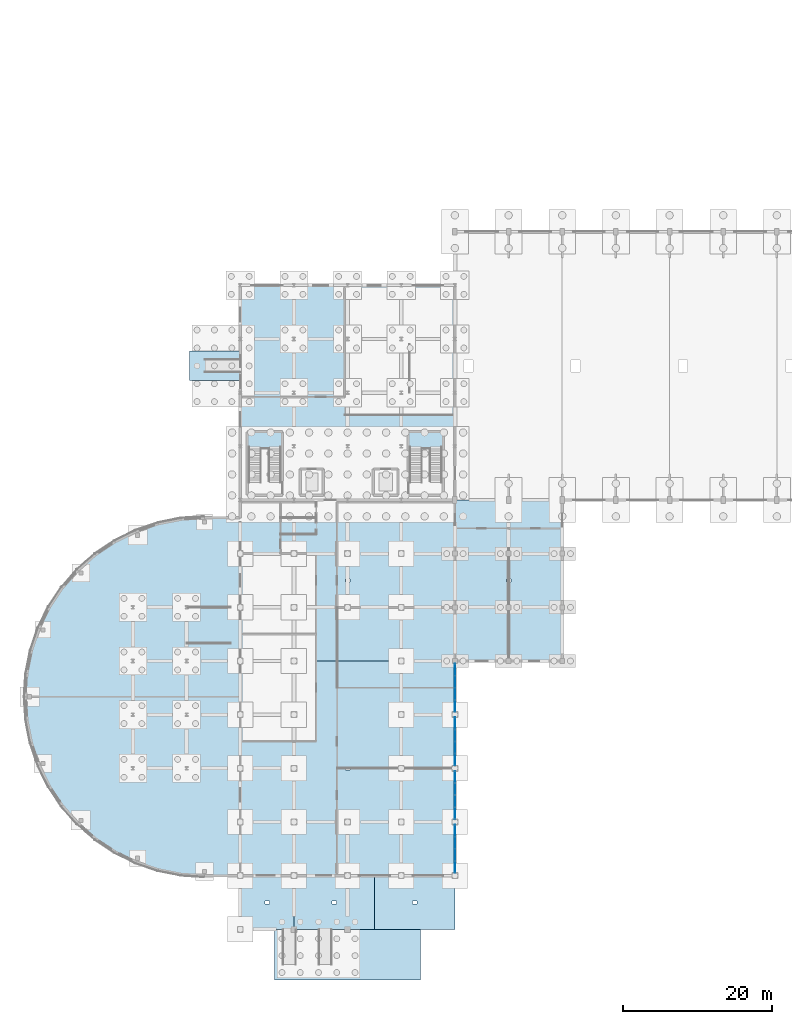
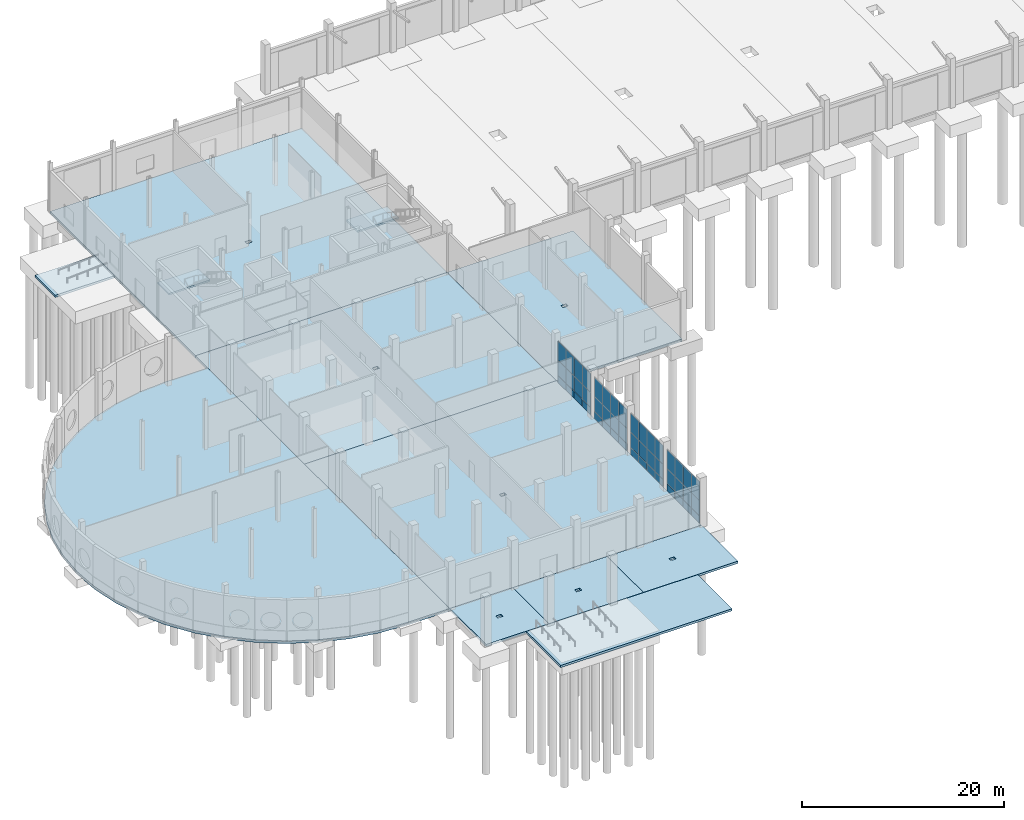
# One storey, part 23 of 45: 48 plates, 12 slabs, 6 elements without a shape of their own.
"""IFC4 building model written with IfcOpenShell, lengths in metres."""

from ifc_helpers import new_model, si_unit, direction, frame, origin, origin_2d, place, context, subcontext, project, spatial, polyline, rectangle, outline, extrude, material, layer, layer_set, type_object, element, aggregate, save


model = new_model("IFC4")

# Units and contexts
model_context = context("Model", 3, precision=1e-05, world=origin(), true_north=direction((0.0, 1.0)))
body_context = subcontext(model_context, "Body", "Model", "MODEL_VIEW")
ifc_project = project(units=[si_unit("LENGTHUNIT", "METRE"), si_unit("AREAUNIT", "SQUARE_METRE"), si_unit("VOLUMEUNIT", "CUBIC_METRE"), si_unit("PLANEANGLEUNIT", "RADIAN"), si_unit("MASSUNIT", "GRAM", prefix="KILO")], contexts=[model_context])

# Site, building, storey
site_placement = place(None, origin())
site = spatial("IfcSite", under=ifc_project, at=site_placement, CompositionType="ELEMENT")
building_placement = place(site_placement, origin())
building = spatial("IfcBuilding", under=site, at=building_placement, Name="Yarey Park Central Fire Station", CompositionType="ELEMENT")
storey_placement = place(building_placement, origin())
storey = spatial("IfcBuildingStorey", under=building, at=storey_placement, Name="L01", CompositionType="ELEMENT", Elevation=0.0)

# Curtain wall, plates
ifc_material_1 = material(Name="Anodized Aluminium Frame", Category="aluminium")
curtain_wall_type = type_object("IfcCurtainWallType", Name="ENV_CW_HQ_L01", PredefinedType="NOTDEFINED", material=ifc_material_1)
curtain_wall_1_placement = place(storey_placement, origin())
curtain_wall_1 = element("IfcCurtainWall", 1, at=curtain_wall_1_placement, inside=storey, type_object=curtain_wall_type, Name="CW_L01_V1_E_2", PredefinedType="NOTDEFINED")
ifc_material_2 = material(Name="Insulated Aluminium Spandrel Panel", Category="aluminium")
ifc_layer_1 = layer(ifc_material_2, 0.055908203125)
ifc_layer_set_1 = layer_set([ifc_layer_1], Name="Insulated Aluminium Spandrel Panel")
plate_type_1 = type_object("IfcPlateType", Name="ENV_PNL_SPN_01", PredefinedType="CURTAIN_PANEL", material=ifc_layer_set_1)
plate_1_placement = place(storey_placement, frame((57.60009765625, 15.570068359375, 0.04248046875), z_axis=(0.0, 0.0, 1.0), x_axis=(0.0, 1.0, 0.0)))
plate_1 = element("IfcPlate", 2, at=plate_1_placement, type_object=plate_type_1, Name="CW_L01_V1_E_2_PNL01", PredefinedType="CURTAIN_PANEL", context=body_context, shape_type="SweptSolid", body=[
    extrude(rectangle(XDim=1.580078125, YDim=0.055908203125, at=origin_2d()), origin(), (0.0, 0.0, 1.0), 0.840087890625),
])
plate_2_placement = place(storey_placement, frame((57.60009765625, 17.18994140625, 0.04248046875), z_axis=(0.0, 0.0, 1.0), x_axis=(0.0, 1.0, 0.0)))
plate_2 = element("IfcPlate", 3, at=plate_2_placement, type_object=plate_type_1, Name="CW_L01_V1_E_2_PNL04", PredefinedType="CURTAIN_PANEL", context=body_context, shape_type="SweptSolid", body=[
    extrude(rectangle(XDim=1.580078125, YDim=0.055908203125, at=origin_2d()), origin(), (0.0, 0.0, 1.0), 0.840087890625),
])
plate_3_placement = place(storey_placement, frame((57.60009765625, 18.81005859375, 0.04248046875), z_axis=(0.0, 0.0, 1.0), x_axis=(0.0, 1.0, 0.0)))
plate_3 = element("IfcPlate", 4, at=plate_3_placement, type_object=plate_type_1, Name="CW_L01_V1_E_2_PNL07", PredefinedType="CURTAIN_PANEL", context=body_context, shape_type="SweptSolid", body=[
    extrude(rectangle(XDim=1.580078125, YDim=0.055908203125, at=origin_2d()), origin(), (0.0, 0.0, 1.0), 0.840087890625),
])
plate_4_placement = place(storey_placement, frame((57.60009765625, 20.429931640625, 0.04248046875), z_axis=(0.0, 0.0, 1.0), x_axis=(0.0, 1.0, 0.0)))
plate_4 = element("IfcPlate", 5, at=plate_4_placement, type_object=plate_type_1, Name="CW_L01_V1_E_2_PNL10", PredefinedType="CURTAIN_PANEL", context=body_context, shape_type="SweptSolid", body=[
    extrude(rectangle(XDim=1.580078125, YDim=0.055908203125, at=origin_2d()), origin(), (0.0, 0.0, 1.0), 0.840087890625),
])

curtain_wall_2_placement = place(storey_placement, origin())
curtain_wall_2 = element("IfcCurtainWall", 6, at=curtain_wall_2_placement, inside=storey, type_object=curtain_wall_type, Name="CW_L01_V1_E_3", PredefinedType="NOTDEFINED")
ifc_layer_2 = layer(ifc_material_2, 0.068115234375)
ifc_layer_set_2 = layer_set([ifc_layer_2], Name="Insulated Aluminium Spandrel Panel")
plate_type_2 = type_object("IfcPlateType", Name="ENV_PNL_SPN_02", PredefinedType="CURTAIN_PANEL", material=ifc_layer_set_2)
plate_5_placement = place(storey_placement, frame((57.60009765625, 22.77001953125, 0.04248046875), z_axis=(0.0, 0.0, 1.0), x_axis=(0.0, 1.0, 0.0)))
plate_5 = element("IfcPlate", 7, at=plate_5_placement, type_object=plate_type_2, Name="CW_L01_V1_E_3_PNL01", PredefinedType="CURTAIN_PANEL", context=body_context, shape_type="SweptSolid", body=[
    extrude(rectangle(XDim=1.580078125, YDim=0.068115234375, at=origin_2d()), origin(), (0.0, 0.0, 1.0), 0.840087890625),
])
plate_6_placement = place(storey_placement, frame((57.60009765625, 24.389892578125, 0.04248046875), z_axis=(0.0, 0.0, 1.0), x_axis=(0.0, 1.0, 0.0)))
plate_6 = element("IfcPlate", 8, at=plate_6_placement, type_object=plate_type_2, Name="CW_L01_V1_E_3_PNL04", PredefinedType="CURTAIN_PANEL", context=body_context, shape_type="SweptSolid", body=[
    extrude(rectangle(XDim=1.580078125, YDim=0.068115234375, at=origin_2d()), origin(), (0.0, 0.0, 1.0), 0.840087890625),
])
plate_7_placement = place(storey_placement, frame((57.60009765625, 26.010009765625, 0.04248046875), z_axis=(0.0, 0.0, 1.0), x_axis=(0.0, 1.0, 0.0)))
plate_7 = element("IfcPlate", 9, at=plate_7_placement, type_object=plate_type_2, Name="CW_L01_V1_E_3_PNL07", PredefinedType="CURTAIN_PANEL", context=body_context, shape_type="SweptSolid", body=[
    extrude(rectangle(XDim=1.580078125, YDim=0.068115234375, at=origin_2d()), origin(), (0.0, 0.0, 1.0), 0.840087890625),
])
plate_8_placement = place(storey_placement, frame((57.60009765625, 27.6298828125, 0.04248046875), z_axis=(0.0, 0.0, 1.0), x_axis=(0.0, 1.0, 0.0)))
plate_8 = element("IfcPlate", 10, at=plate_8_placement, type_object=plate_type_2, Name="CW_L01_V1_E_3_PNL10", PredefinedType="CURTAIN_PANEL", context=body_context, shape_type="SweptSolid", body=[
    extrude(rectangle(XDim=1.580078125, YDim=0.068115234375, at=origin_2d()), origin(), (0.0, 0.0, 1.0), 0.840087890625),
])

curtain_wall_3_placement = place(storey_placement, origin())
curtain_wall_3 = element("IfcCurtainWall", 11, at=curtain_wall_3_placement, inside=storey, type_object=curtain_wall_type, Name="CW_L01_V1_E_4", PredefinedType="NOTDEFINED")
ifc_layer_3 = layer(ifc_material_2, 0.077880859375)
ifc_layer_set_3 = layer_set([ifc_layer_3], Name="Insulated Aluminium Spandrel Panel")
plate_type_3 = type_object("IfcPlateType", Name="ENV_PNL_SPN_03", PredefinedType="CURTAIN_PANEL", material=ifc_layer_set_3)
plate_9_placement = place(storey_placement, frame((57.60009765625, 29.969970703125, 0.04248046875), z_axis=(0.0, 0.0, 1.0), x_axis=(0.0, 1.0, 0.0)))
plate_9 = element("IfcPlate", 12, at=plate_9_placement, type_object=plate_type_3, Name="CW_L01_V1_E_4_PNL01", PredefinedType="CURTAIN_PANEL", context=body_context, shape_type="SweptSolid", body=[
    extrude(rectangle(XDim=1.580078125, YDim=0.077880859375, at=origin_2d()), origin(), (0.0, 0.0, 1.0), 0.840087890625),
])
plate_10_placement = place(storey_placement, frame((57.60009765625, 31.590087890625, 0.04248046875), z_axis=(0.0, 0.0, 1.0), x_axis=(0.0, 1.0, 0.0)))
plate_10 = element("IfcPlate", 13, at=plate_10_placement, type_object=plate_type_3, Name="CW_L01_V1_E_4_PNL04", PredefinedType="CURTAIN_PANEL", context=body_context, shape_type="SweptSolid", body=[
    extrude(rectangle(XDim=1.580078125, YDim=0.077880859375, at=origin_2d()), origin(), (0.0, 0.0, 1.0), 0.840087890625),
])
plate_11_placement = place(storey_placement, frame((57.60009765625, 33.2099609375, 0.04248046875), z_axis=(0.0, 0.0, 1.0), x_axis=(0.0, 1.0, 0.0)))
plate_11 = element("IfcPlate", 14, at=plate_11_placement, type_object=plate_type_3, Name="CW_L01_V1_E_4_PNL07", PredefinedType="CURTAIN_PANEL", context=body_context, shape_type="SweptSolid", body=[
    extrude(rectangle(XDim=1.580078125, YDim=0.077880859375, at=origin_2d()), origin(), (0.0, 0.0, 1.0), 0.840087890625),
])
plate_12_placement = place(storey_placement, frame((57.60009765625, 34.830078125, 0.04248046875), z_axis=(0.0, 0.0, 1.0), x_axis=(0.0, 1.0, 0.0)))
plate_12 = element("IfcPlate", 15, at=plate_12_placement, type_object=plate_type_3, Name="CW_L01_V1_E_4_PNL10", PredefinedType="CURTAIN_PANEL", context=body_context, shape_type="SweptSolid", body=[
    extrude(rectangle(XDim=1.580078125, YDim=0.077880859375, at=origin_2d()), origin(), (0.0, 0.0, 1.0), 0.840087890625),
])

curtain_wall_4_placement = place(storey_placement, origin())
curtain_wall_4 = element("IfcCurtainWall", 16, at=curtain_wall_4_placement, inside=storey, type_object=curtain_wall_type, Name="CW_L01_V1_E_1", PredefinedType="NOTDEFINED")
ifc_layer_4 = layer(ifc_material_2, 0.087890625)
ifc_layer_set_4 = layer_set([ifc_layer_4], Name="Insulated Aluminium Spandrel Panel")
plate_type_4 = type_object("IfcPlateType", Name="ENV_PNL_SPN_04", PredefinedType="CURTAIN_PANEL", material=ifc_layer_set_4)
plate_13_placement = place(storey_placement, frame((57.60009765625, 8.3701171875, 0.04248046875), z_axis=(0.0, 0.0, 1.0), x_axis=(0.0, 1.0, 0.0)))
plate_13 = element("IfcPlate", 17, at=plate_13_placement, type_object=plate_type_4, Name="CW_L01_V1_E_1_PNL01", PredefinedType="CURTAIN_PANEL", context=body_context, shape_type="SweptSolid", body=[
    extrude(rectangle(XDim=1.580078125, YDim=0.087890625, at=origin_2d()), origin(), (0.0, 0.0, 1.0), 0.840087890625),
])
plate_14_placement = place(storey_placement, frame((57.60009765625, 9.989990234375, 0.04248046875), z_axis=(0.0, 0.0, 1.0), x_axis=(0.0, 1.0, 0.0)))
plate_14 = element("IfcPlate", 18, at=plate_14_placement, type_object=plate_type_4, Name="CW_L01_V1_E_1_PNL04", PredefinedType="CURTAIN_PANEL", context=body_context, shape_type="SweptSolid", body=[
    extrude(rectangle(XDim=1.580078125, YDim=0.087890625, at=origin_2d()), origin(), (0.0, 0.0, 1.0), 0.840087890625),
])
plate_15_placement = place(storey_placement, frame((57.60009765625, 11.610107421875, 0.04248046875), z_axis=(0.0, 0.0, 1.0), x_axis=(0.0, 1.0, 0.0)))
plate_15 = element("IfcPlate", 19, at=plate_15_placement, type_object=plate_type_4, Name="CW_L01_V1_E_1_PNL07", PredefinedType="CURTAIN_PANEL", context=body_context, shape_type="SweptSolid", body=[
    extrude(rectangle(XDim=1.580078125, YDim=0.087890625, at=origin_2d()), origin(), (0.0, 0.0, 1.0), 0.840087890625),
])
plate_16_placement = place(storey_placement, frame((57.60009765625, 13.22998046875, 0.04248046875), z_axis=(0.0, 0.0, 1.0), x_axis=(0.0, 1.0, 0.0)))
plate_16 = element("IfcPlate", 20, at=plate_16_placement, type_object=plate_type_4, Name="CW_L01_V1_E_1_PNL10", PredefinedType="CURTAIN_PANEL", context=body_context, shape_type="SweptSolid", body=[
    extrude(rectangle(XDim=1.580078125, YDim=0.087890625, at=origin_2d()), origin(), (0.0, 0.0, 1.0), 0.840087890625),
])

# Plate
ifc_material_3 = material(Name="Laminated Hurricane Low-E Glass", Category="glass")
ifc_layer_5 = layer(ifc_material_3, 0.02392578125)
ifc_layer_set_5 = layer_set([ifc_layer_5], Name="Laminated Hurricane Low-E Glass")
plate_type_5 = type_object("IfcPlateType", Name="ENV_PNL_VIS_01", PredefinedType="CURTAIN_PANEL", material=ifc_layer_set_5)
plate_17_placement = place(storey_placement, frame((57.60009765625, 15.570068359375, 0.91748046875), z_axis=(0.0, 0.0, 1.0), x_axis=(0.0, 1.0, 0.0)))
plate_17 = element("IfcPlate", 21, at=plate_17_placement, type_object=plate_type_5, Name="CW_L01_V1_E_2_PNL02", PredefinedType="CURTAIN_PANEL", context=body_context, shape_type="SweptSolid", body=[
    extrude(rectangle(XDim=1.580078125, YDim=0.02392578125, at=origin_2d()), origin(), (0.0, 0.0, 1.0), 1.7919921875),
])

plate_18_placement = place(storey_placement, frame((57.60009765625, 15.570068359375, 2.74462890625), z_axis=(0.0, 0.0, 1.0), x_axis=(0.0, 1.0, 0.0)))
plate_18 = element("IfcPlate", 22, at=plate_18_placement, type_object=plate_type_5, Name="CW_L01_V1_E_2_PNL03", PredefinedType="CURTAIN_PANEL", context=body_context, shape_type="SweptSolid", body=[
    extrude(rectangle(XDim=1.580078125, YDim=0.02392578125, at=origin_2d()), origin(), (0.0, 0.0, 1.0), 2.262939453125),
])

plate_19_placement = place(storey_placement, frame((57.60009765625, 17.18994140625, 0.91748046875), z_axis=(0.0, 0.0, 1.0), x_axis=(0.0, 1.0, 0.0)))
plate_19 = element("IfcPlate", 23, at=plate_19_placement, type_object=plate_type_5, Name="CW_L01_V1_E_2_PNL05", PredefinedType="CURTAIN_PANEL", context=body_context, shape_type="SweptSolid", body=[
    extrude(rectangle(XDim=1.580078125, YDim=0.02392578125, at=origin_2d()), origin(), (0.0, 0.0, 1.0), 1.7919921875),
])

plate_20_placement = place(storey_placement, frame((57.60009765625, 17.18994140625, 2.74462890625), z_axis=(0.0, 0.0, 1.0), x_axis=(0.0, 1.0, 0.0)))
plate_20 = element("IfcPlate", 24, at=plate_20_placement, type_object=plate_type_5, Name="CW_L01_V1_E_2_PNL06", PredefinedType="CURTAIN_PANEL", context=body_context, shape_type="SweptSolid", body=[
    extrude(rectangle(XDim=1.580078125, YDim=0.02392578125, at=origin_2d()), origin(), (0.0, 0.0, 1.0), 2.262939453125),
])

plate_21_placement = place(storey_placement, frame((57.60009765625, 18.81005859375, 0.91748046875), z_axis=(0.0, 0.0, 1.0), x_axis=(0.0, 1.0, 0.0)))
plate_21 = element("IfcPlate", 25, at=plate_21_placement, type_object=plate_type_5, Name="CW_L01_V1_E_2_PNL08", PredefinedType="CURTAIN_PANEL", context=body_context, shape_type="SweptSolid", body=[
    extrude(rectangle(XDim=1.580078125, YDim=0.02392578125, at=origin_2d()), origin(), (0.0, 0.0, 1.0), 1.7919921875),
])

plate_22_placement = place(storey_placement, frame((57.60009765625, 18.81005859375, 2.74462890625), z_axis=(0.0, 0.0, 1.0), x_axis=(0.0, 1.0, 0.0)))
plate_22 = element("IfcPlate", 26, at=plate_22_placement, type_object=plate_type_5, Name="CW_L01_V1_E_2_PNL09", PredefinedType="CURTAIN_PANEL", context=body_context, shape_type="SweptSolid", body=[
    extrude(rectangle(XDim=1.580078125, YDim=0.02392578125, at=origin_2d()), origin(), (0.0, 0.0, 1.0), 2.262939453125),
])

plate_23_placement = place(storey_placement, frame((57.60009765625, 20.429931640625, 0.91748046875), z_axis=(0.0, 0.0, 1.0), x_axis=(0.0, 1.0, 0.0)))
plate_23 = element("IfcPlate", 27, at=plate_23_placement, type_object=plate_type_5, Name="CW_L01_V1_E_2_PNL11", PredefinedType="CURTAIN_PANEL", context=body_context, shape_type="SweptSolid", body=[
    extrude(rectangle(XDim=1.580078125, YDim=0.02392578125, at=origin_2d()), origin(), (0.0, 0.0, 1.0), 1.7919921875),
])

plate_24_placement = place(storey_placement, frame((57.60009765625, 20.429931640625, 2.74462890625), z_axis=(0.0, 0.0, 1.0), x_axis=(0.0, 1.0, 0.0)))
plate_24 = element("IfcPlate", 28, at=plate_24_placement, type_object=plate_type_5, Name="CW_L01_V1_E_2_PNL12", PredefinedType="CURTAIN_PANEL", context=body_context, shape_type="SweptSolid", body=[
    extrude(rectangle(XDim=1.580078125, YDim=0.02392578125, at=origin_2d()), origin(), (0.0, 0.0, 1.0), 2.262939453125),
])

aggregate(curtain_wall_1, [plate_1, plate_17, plate_18, plate_2, plate_19, plate_20, plate_3, plate_21, plate_22, plate_4, plate_23, plate_24])

ifc_layer_6 = layer(ifc_material_3, 0.031982421875)
ifc_layer_set_6 = layer_set([ifc_layer_6], Name="Laminated Hurricane Low-E Glass")
plate_type_6 = type_object("IfcPlateType", Name="ENV_PNL_VIS_02", PredefinedType="CURTAIN_PANEL", material=ifc_layer_set_6)
plate_25_placement = place(storey_placement, frame((57.60009765625, 22.77001953125, 0.91748046875), z_axis=(0.0, 0.0, 1.0), x_axis=(0.0, 1.0, 0.0)))
plate_25 = element("IfcPlate", 29, at=plate_25_placement, type_object=plate_type_6, Name="CW_L01_V1_E_3_PNL02", PredefinedType="CURTAIN_PANEL", context=body_context, shape_type="SweptSolid", body=[
    extrude(rectangle(XDim=1.580078125, YDim=0.031982421875, at=origin_2d()), origin(), (0.0, 0.0, 1.0), 1.7919921875),
])

plate_26_placement = place(storey_placement, frame((57.60009765625, 22.77001953125, 2.74462890625), z_axis=(0.0, 0.0, 1.0), x_axis=(0.0, 1.0, 0.0)))
plate_26 = element("IfcPlate", 30, at=plate_26_placement, type_object=plate_type_6, Name="CW_L01_V1_E_3_PNL03", PredefinedType="CURTAIN_PANEL", context=body_context, shape_type="SweptSolid", body=[
    extrude(rectangle(XDim=1.580078125, YDim=0.031982421875, at=origin_2d()), origin(), (0.0, 0.0, 1.0), 2.262939453125),
])

plate_27_placement = place(storey_placement, frame((57.60009765625, 24.389892578125, 0.91748046875), z_axis=(0.0, 0.0, 1.0), x_axis=(0.0, 1.0, 0.0)))
plate_27 = element("IfcPlate", 31, at=plate_27_placement, type_object=plate_type_6, Name="CW_L01_V1_E_3_PNL05", PredefinedType="CURTAIN_PANEL", context=body_context, shape_type="SweptSolid", body=[
    extrude(rectangle(XDim=1.580078125, YDim=0.031982421875, at=origin_2d()), origin(), (0.0, 0.0, 1.0), 1.7919921875),
])

plate_28_placement = place(storey_placement, frame((57.60009765625, 24.389892578125, 2.74462890625), z_axis=(0.0, 0.0, 1.0), x_axis=(0.0, 1.0, 0.0)))
plate_28 = element("IfcPlate", 32, at=plate_28_placement, type_object=plate_type_6, Name="CW_L01_V1_E_3_PNL06", PredefinedType="CURTAIN_PANEL", context=body_context, shape_type="SweptSolid", body=[
    extrude(rectangle(XDim=1.580078125, YDim=0.031982421875, at=origin_2d()), origin(), (0.0, 0.0, 1.0), 2.262939453125),
])

plate_29_placement = place(storey_placement, frame((57.60009765625, 26.010009765625, 0.91748046875), z_axis=(0.0, 0.0, 1.0), x_axis=(0.0, 1.0, 0.0)))
plate_29 = element("IfcPlate", 33, at=plate_29_placement, type_object=plate_type_6, Name="CW_L01_V1_E_3_PNL08", PredefinedType="CURTAIN_PANEL", context=body_context, shape_type="SweptSolid", body=[
    extrude(rectangle(XDim=1.580078125, YDim=0.031982421875, at=origin_2d()), origin(), (0.0, 0.0, 1.0), 1.7919921875),
])

plate_30_placement = place(storey_placement, frame((57.60009765625, 26.010009765625, 2.74462890625), z_axis=(0.0, 0.0, 1.0), x_axis=(0.0, 1.0, 0.0)))
plate_30 = element("IfcPlate", 34, at=plate_30_placement, type_object=plate_type_6, Name="CW_L01_V1_E_3_PNL09", PredefinedType="CURTAIN_PANEL", context=body_context, shape_type="SweptSolid", body=[
    extrude(rectangle(XDim=1.580078125, YDim=0.031982421875, at=origin_2d()), origin(), (0.0, 0.0, 1.0), 2.262939453125),
])

plate_31_placement = place(storey_placement, frame((57.60009765625, 27.6298828125, 0.91748046875), z_axis=(0.0, 0.0, 1.0), x_axis=(0.0, 1.0, 0.0)))
plate_31 = element("IfcPlate", 35, at=plate_31_placement, type_object=plate_type_6, Name="CW_L01_V1_E_3_PNL11", PredefinedType="CURTAIN_PANEL", context=body_context, shape_type="SweptSolid", body=[
    extrude(rectangle(XDim=1.580078125, YDim=0.031982421875, at=origin_2d()), origin(), (0.0, 0.0, 1.0), 1.7919921875),
])

plate_32_placement = place(storey_placement, frame((57.60009765625, 27.6298828125, 2.74462890625), z_axis=(0.0, 0.0, 1.0), x_axis=(0.0, 1.0, 0.0)))
plate_32 = element("IfcPlate", 36, at=plate_32_placement, type_object=plate_type_6, Name="CW_L01_V1_E_3_PNL12", PredefinedType="CURTAIN_PANEL", context=body_context, shape_type="SweptSolid", body=[
    extrude(rectangle(XDim=1.580078125, YDim=0.031982421875, at=origin_2d()), origin(), (0.0, 0.0, 1.0), 2.262939453125),
])

aggregate(curtain_wall_2, [plate_5, plate_25, plate_26, plate_6, plate_27, plate_28, plate_7, plate_29, plate_30, plate_8, plate_31, plate_32])

ifc_layer_7 = layer(ifc_material_3, 0.0380859375)
ifc_layer_set_7 = layer_set([ifc_layer_7], Name="Laminated Hurricane Low-E Glass")
plate_type_7 = type_object("IfcPlateType", Name="ENV_PNL_VIS_03", PredefinedType="CURTAIN_PANEL", material=ifc_layer_set_7)
plate_33_placement = place(storey_placement, frame((57.60009765625, 29.969970703125, 0.91748046875), z_axis=(0.0, 0.0, 1.0), x_axis=(0.0, 1.0, 0.0)))
plate_33 = element("IfcPlate", 37, at=plate_33_placement, type_object=plate_type_7, Name="CW_L01_V1_E_4_PNL02", PredefinedType="CURTAIN_PANEL", context=body_context, shape_type="SweptSolid", body=[
    extrude(rectangle(XDim=1.580078125, YDim=0.0380859375, at=origin_2d()), origin(), (0.0, 0.0, 1.0), 1.7919921875),
])

plate_34_placement = place(storey_placement, frame((57.60009765625, 29.969970703125, 2.74462890625), z_axis=(0.0, 0.0, 1.0), x_axis=(0.0, 1.0, 0.0)))
plate_34 = element("IfcPlate", 38, at=plate_34_placement, type_object=plate_type_7, Name="CW_L01_V1_E_4_PNL03", PredefinedType="CURTAIN_PANEL", context=body_context, shape_type="SweptSolid", body=[
    extrude(rectangle(XDim=1.580078125, YDim=0.0380859375, at=origin_2d()), origin(), (0.0, 0.0, 1.0), 2.262939453125),
])

plate_35_placement = place(storey_placement, frame((57.60009765625, 31.590087890625, 0.91748046875), z_axis=(0.0, 0.0, 1.0), x_axis=(0.0, 1.0, 0.0)))
plate_35 = element("IfcPlate", 39, at=plate_35_placement, type_object=plate_type_7, Name="CW_L01_V1_E_4_PNL05", PredefinedType="CURTAIN_PANEL", context=body_context, shape_type="SweptSolid", body=[
    extrude(rectangle(XDim=1.580078125, YDim=0.0380859375, at=origin_2d()), origin(), (0.0, 0.0, 1.0), 1.7919921875),
])

plate_36_placement = place(storey_placement, frame((57.60009765625, 31.590087890625, 2.74462890625), z_axis=(0.0, 0.0, 1.0), x_axis=(0.0, 1.0, 0.0)))
plate_36 = element("IfcPlate", 40, at=plate_36_placement, type_object=plate_type_7, Name="CW_L01_V1_E_4_PNL06", PredefinedType="CURTAIN_PANEL", context=body_context, shape_type="SweptSolid", body=[
    extrude(rectangle(XDim=1.580078125, YDim=0.0380859375, at=origin_2d()), origin(), (0.0, 0.0, 1.0), 2.262939453125),
])

plate_37_placement = place(storey_placement, frame((57.60009765625, 33.2099609375, 0.91748046875), z_axis=(0.0, 0.0, 1.0), x_axis=(0.0, 1.0, 0.0)))
plate_37 = element("IfcPlate", 41, at=plate_37_placement, type_object=plate_type_7, Name="CW_L01_V1_E_4_PNL08", PredefinedType="CURTAIN_PANEL", context=body_context, shape_type="SweptSolid", body=[
    extrude(rectangle(XDim=1.580078125, YDim=0.0380859375, at=origin_2d()), origin(), (0.0, 0.0, 1.0), 1.7919921875),
])

plate_38_placement = place(storey_placement, frame((57.60009765625, 33.2099609375, 2.74462890625), z_axis=(0.0, 0.0, 1.0), x_axis=(0.0, 1.0, 0.0)))
plate_38 = element("IfcPlate", 42, at=plate_38_placement, type_object=plate_type_7, Name="CW_L01_V1_E_4_PNL09", PredefinedType="CURTAIN_PANEL", context=body_context, shape_type="SweptSolid", body=[
    extrude(rectangle(XDim=1.580078125, YDim=0.0380859375, at=origin_2d()), origin(), (0.0, 0.0, 1.0), 2.262939453125),
])

plate_39_placement = place(storey_placement, frame((57.60009765625, 34.830078125, 0.91748046875), z_axis=(0.0, 0.0, 1.0), x_axis=(0.0, 1.0, 0.0)))
plate_39 = element("IfcPlate", 43, at=plate_39_placement, type_object=plate_type_7, Name="CW_L01_V1_E_4_PNL11", PredefinedType="CURTAIN_PANEL", context=body_context, shape_type="SweptSolid", body=[
    extrude(rectangle(XDim=1.580078125, YDim=0.0380859375, at=origin_2d()), origin(), (0.0, 0.0, 1.0), 1.7919921875),
])

plate_40_placement = place(storey_placement, frame((57.60009765625, 34.830078125, 2.74462890625), z_axis=(0.0, 0.0, 1.0), x_axis=(0.0, 1.0, 0.0)))
plate_40 = element("IfcPlate", 44, at=plate_40_placement, type_object=plate_type_7, Name="CW_L01_V1_E_4_PNL12", PredefinedType="CURTAIN_PANEL", context=body_context, shape_type="SweptSolid", body=[
    extrude(rectangle(XDim=1.580078125, YDim=0.0380859375, at=origin_2d()), origin(), (0.0, 0.0, 1.0), 2.262939453125),
])

aggregate(curtain_wall_3, [plate_9, plate_33, plate_34, plate_10, plate_35, plate_36, plate_11, plate_37, plate_38, plate_12, plate_39, plate_40])

ifc_layer_8 = layer(ifc_material_3, 0.0458984375)
ifc_layer_set_8 = layer_set([ifc_layer_8], Name="Laminated Hurricane Low-E Glass")
plate_type_8 = type_object("IfcPlateType", Name="ENV_PNL_VIS_04", PredefinedType="CURTAIN_PANEL", material=ifc_layer_set_8)
plate_41_placement = place(storey_placement, frame((57.60009765625, 8.3701171875, 0.91748046875), z_axis=(0.0, 0.0, 1.0), x_axis=(0.0, 1.0, 0.0)))
plate_41 = element("IfcPlate", 45, at=plate_41_placement, type_object=plate_type_8, Name="CW_L01_V1_E_1_PNL02", PredefinedType="CURTAIN_PANEL", context=body_context, shape_type="SweptSolid", body=[
    extrude(rectangle(XDim=1.580078125, YDim=0.0458984375, at=origin_2d()), origin(), (0.0, 0.0, 1.0), 1.7919921875),
])

plate_42_placement = place(storey_placement, frame((57.60009765625, 8.3701171875, 2.74462890625), z_axis=(0.0, 0.0, 1.0), x_axis=(0.0, 1.0, 0.0)))
plate_42 = element("IfcPlate", 46, at=plate_42_placement, type_object=plate_type_8, Name="CW_L01_V1_E_1_PNL03", PredefinedType="CURTAIN_PANEL", context=body_context, shape_type="SweptSolid", body=[
    extrude(rectangle(XDim=1.580078125, YDim=0.0458984375, at=origin_2d()), origin(), (0.0, 0.0, 1.0), 2.262939453125),
])

plate_43_placement = place(storey_placement, frame((57.60009765625, 9.989990234375, 0.91748046875), z_axis=(0.0, 0.0, 1.0), x_axis=(0.0, 1.0, 0.0)))
plate_43 = element("IfcPlate", 47, at=plate_43_placement, type_object=plate_type_8, Name="CW_L01_V1_E_1_PNL05", PredefinedType="CURTAIN_PANEL", context=body_context, shape_type="SweptSolid", body=[
    extrude(rectangle(XDim=1.580078125, YDim=0.0458984375, at=origin_2d()), origin(), (0.0, 0.0, 1.0), 1.7919921875),
])

plate_44_placement = place(storey_placement, frame((57.60009765625, 9.989990234375, 2.74462890625), z_axis=(0.0, 0.0, 1.0), x_axis=(0.0, 1.0, 0.0)))
plate_44 = element("IfcPlate", 48, at=plate_44_placement, type_object=plate_type_8, Name="CW_L01_V1_E_1_PNL06", PredefinedType="CURTAIN_PANEL", context=body_context, shape_type="SweptSolid", body=[
    extrude(rectangle(XDim=1.580078125, YDim=0.0458984375, at=origin_2d()), origin(), (0.0, 0.0, 1.0), 2.262939453125),
])

plate_45_placement = place(storey_placement, frame((57.60009765625, 11.610107421875, 0.91748046875), z_axis=(0.0, 0.0, 1.0), x_axis=(0.0, 1.0, 0.0)))
plate_45 = element("IfcPlate", 49, at=plate_45_placement, type_object=plate_type_8, Name="CW_L01_V1_E_1_PNL08", PredefinedType="CURTAIN_PANEL", context=body_context, shape_type="SweptSolid", body=[
    extrude(rectangle(XDim=1.580078125, YDim=0.0458984375, at=origin_2d()), origin(), (0.0, 0.0, 1.0), 1.7919921875),
])

plate_46_placement = place(storey_placement, frame((57.60009765625, 11.610107421875, 2.74462890625), z_axis=(0.0, 0.0, 1.0), x_axis=(0.0, 1.0, 0.0)))
plate_46 = element("IfcPlate", 50, at=plate_46_placement, type_object=plate_type_8, Name="CW_L01_V1_E_1_PNL09", PredefinedType="CURTAIN_PANEL", context=body_context, shape_type="SweptSolid", body=[
    extrude(rectangle(XDim=1.580078125, YDim=0.0458984375, at=origin_2d()), origin(), (0.0, 0.0, 1.0), 2.262939453125),
])

plate_47_placement = place(storey_placement, frame((57.60009765625, 13.22998046875, 0.91748046875), z_axis=(0.0, 0.0, 1.0), x_axis=(0.0, 1.0, 0.0)))
plate_47 = element("IfcPlate", 51, at=plate_47_placement, type_object=plate_type_8, Name="CW_L01_V1_E_1_PNL11", PredefinedType="CURTAIN_PANEL", context=body_context, shape_type="SweptSolid", body=[
    extrude(rectangle(XDim=1.580078125, YDim=0.0458984375, at=origin_2d()), origin(), (0.0, 0.0, 1.0), 1.7919921875),
])

plate_48_placement = place(storey_placement, frame((57.60009765625, 13.22998046875, 2.74462890625), z_axis=(0.0, 0.0, 1.0), x_axis=(0.0, 1.0, 0.0)))
plate_48 = element("IfcPlate", 52, at=plate_48_placement, type_object=plate_type_8, Name="CW_L01_V1_E_1_PNL12", PredefinedType="CURTAIN_PANEL", context=body_context, shape_type="SweptSolid", body=[
    extrude(rectangle(XDim=1.580078125, YDim=0.0458984375, at=origin_2d()), origin(), (0.0, 0.0, 1.0), 2.262939453125),
])

aggregate(curtain_wall_4, [plate_13, plate_41, plate_42, plate_14, plate_43, plate_44, plate_15, plate_45, plate_46, plate_16, plate_47, plate_48])

# Stair, slab
ifc_material_4 = material(Name="Concrete C40/50", Category="concrete")
stair_type = type_object("IfcStairType", Name="INT_ST_2RUN_150_H60", PredefinedType="USERDEFINED", material=ifc_material_4)
stair_1_placement = place(storey_placement, origin())
stair_1 = element("IfcStair", 53, at=stair_1_placement, inside=storey, type_object=stair_type, Name="Exit Stair ST-3 L01", ObjectType="TWO_RUN_STAIR", PredefinedType="USERDEFINED")
ifc_layer_9 = layer(ifc_material_4, 0.205078125)
ifc_layer_set_9 = layer_set([ifc_layer_9], Name="Concrete C40/50")
slab_type_1 = type_object("IfcSlabType", Name="INT_SLAB_LND205", PredefinedType="LANDING", material=ifc_layer_set_9)
slab_1_placement = place(storey_placement, frame((0.0, 0.0, 2.794921875)))
slab_1 = element("IfcSlab", 54, at=slab_1_placement, type_object=slab_type_1, Name="STAIR_C3_L01_LND", PredefinedType="LANDING", context=body_context, shape_type="SweptSolid", body=[
    extrude(outline(polyline([(29.75, 64.5), (34.449951171875, 64.5), (34.449951171875, 66.75), (29.75, 66.75), (29.75, 64.5)])), origin(), (0.0, 0.0, 1.0), 0.205078125),
])
aggregate(stair_1, [slab_1])

stair_2_placement = place(storey_placement, origin())
stair_2 = element("IfcStair", 55, at=stair_2_placement, inside=storey, type_object=stair_type, Name="Exit Stair ST-4 L01", ObjectType="TWO_RUN_STAIR", PredefinedType="USERDEFINED")
slab_2_placement = place(storey_placement, frame((0.0, 0.0, 2.794921875)))
slab_2 = element("IfcSlab", 56, at=slab_2_placement, type_object=slab_type_1, Name="STAIR_C4_L01_LND", PredefinedType="LANDING", context=body_context, shape_type="SweptSolid", body=[
    extrude(outline(polyline([(51.35009765625, 64.5), (56.050048828125, 64.5), (56.050048828125, 66.75), (51.35009765625, 66.75), (51.35009765625, 64.5)])), origin(), (0.0, 0.0, 1.0), 0.205078125),
])
aggregate(stair_2, [slab_2])

# Slabs
ifc_material_5 = material(Name="Concrete C35/45", Category="concrete")
ifc_layer_10 = layer(ifc_material_5, 0.27001953125)
ifc_layer_set_10 = layer_set([ifc_layer_10], Name="Concrete C35/45")
slab_type_2 = type_object("IfcSlabType", Name="STR_SLAB_EXT270", PredefinedType="FLOOR", material=ifc_layer_set_10)
slab_3_placement = place(storey_placement, frame((0.0, 0.0, -0.27001953125)))
element("IfcSlab", 57, at=slab_3_placement, inside=storey, type_object=slab_type_2, Name="SLAB_L01_V1_ARCADE_1", PredefinedType="FLOOR", context=body_context, shape_type="SweptSolid", body=[
    extrude(outline(polyline([(28.800048828125, 0.0), (36.0, 0.0), (36.0, 7.199951171875), (28.800048828125, 7.199951171875), (28.800048828125, 0.0)]), holes=[polyline([(32.10009765625, 3.39990234375), (32.699951171875, 3.39990234375), (32.699951171875, 3.800048828125), (32.10009765625, 3.800048828125), (32.10009765625, 3.39990234375)])]), origin(), (0.0, 0.0, 1.0), 0.27001953125),
])
slab_4_placement = place(storey_placement, frame((0.0, 0.0, -0.27001953125)))
element("IfcSlab", 58, at=slab_4_placement, inside=storey, type_object=slab_type_2, Name="SLAB_L01_V1_ARCADE_2", PredefinedType="FLOOR", context=body_context, shape_type="SweptSolid", body=[
    extrude(outline(polyline([(36.0, 0.0), (46.800048828125, 0.0), (46.800048828125, 7.199951171875), (36.0, 7.199951171875), (36.0, 0.0)]), holes=[polyline([(41.10009765625, 3.39990234375), (41.699951171875, 3.39990234375), (41.699951171875, 3.800048828125), (41.10009765625, 3.800048828125), (41.10009765625, 3.39990234375)])]), origin(), (0.0, 0.0, 1.0), 0.27001953125),
])
slab_5_placement = place(storey_placement, frame((0.0, 0.0, -0.27001953125)))
element("IfcSlab", 59, at=slab_5_placement, inside=storey, type_object=slab_type_2, Name="SLAB_L01_V1_ARCADE_3", PredefinedType="FLOOR", context=body_context, shape_type="SweptSolid", body=[
    extrude(outline(polyline([(46.800048828125, 0.0), (57.60009765625, 0.0), (57.60009765625, 7.199951171875), (46.800048828125, 7.199951171875), (46.800048828125, 0.0)]), holes=[polyline([(51.89990234375, 3.39990234375), (52.5, 3.39990234375), (52.5, 3.800048828125), (51.89990234375, 3.800048828125), (51.89990234375, 3.39990234375)])]), origin(), (0.0, 0.0, 1.0), 0.27001953125),
])
slab_6_placement = place(storey_placement, frame((0.0, 0.0, -0.2900390625)))
element("IfcSlab", 60, at=slab_6_placement, inside=storey, type_object=slab_type_2, Name="SLAB_L01_APR_S", PredefinedType="FLOOR", context=body_context, shape_type="SweptSolid", body=[
    extrude(outline(polyline([(33.39990234375, -6.800048828125), (53.0, -6.800048828125), (53.0, 0.0), (33.39990234375, 0.0), (33.39990234375, -6.800048828125)])), origin(), (0.0, 0.0, 1.0), 0.27001953125),
])
slab_7_placement = place(storey_placement, frame((0.0, 0.0, -0.2900390625)))
element("IfcSlab", 61, at=slab_7_placement, inside=storey, type_object=slab_type_2, Name="SLAB_L01_APR_W", PredefinedType="FLOOR", context=body_context, shape_type="SweptSolid", body=[
    extrude(outline(polyline([(22.0, 73.60009765625), (28.800048828125, 73.60009765625), (28.800048828125, 77.60009765625), (22.0, 77.60009765625), (22.0, 73.60009765625)])), origin(), (0.0, 0.0, 1.0), 0.27001953125),
])
ifc_layer_11 = layer(ifc_material_5, 0.300048828125)
ifc_layer_set_11 = layer_set([ifc_layer_11], Name="Concrete C35/45")
slab_type_3 = type_object("IfcSlabType", Name="STR_SLAB_G300", PredefinedType="FLOOR", material=ifc_layer_set_11)
slab_8_placement = place(storey_placement, frame((0.0, 0.0, -0.300048828125)))
element("IfcSlab", 62, at=slab_8_placement, inside=storey, type_object=slab_type_3, Name="SLAB_L01_V1_S", PredefinedType="FLOOR", context=body_context, shape_type="SweptSolid", body=[
    extrude(outline(polyline([(28.800048828125, 7.199951171875), (57.60009765625, 7.199951171875), (57.60009765625, 36.0), (28.800048828125, 36.0), (28.800048828125, 7.199951171875)]), holes=[polyline([(42.89990234375, 21.39990234375), (43.5, 21.39990234375), (43.5, 21.800048828125), (42.89990234375, 21.800048828125), (42.89990234375, 21.39990234375)])]), origin(), (0.0, 0.0, 1.0), 0.300048828125),
])
slab_9_placement = place(storey_placement, frame((0.0, 0.0, -0.300048828125)))
element("IfcSlab", 63, at=slab_9_placement, inside=storey, type_object=slab_type_3, Name="SLAB_L01_V1_N", PredefinedType="FLOOR", context=body_context, shape_type="SweptSolid", body=[
    extrude(outline(polyline([(28.800048828125, 36.0), (57.60009765625, 36.0), (57.60009765625, 57.60009765625), (28.800048828125, 57.60009765625), (28.800048828125, 36.0)]), holes=[polyline([(42.89990234375, 46.60009765625), (43.5, 46.60009765625), (43.5, 47.0), (42.89990234375, 47.0), (42.89990234375, 46.60009765625)])]), origin(), (0.0, 0.0, 1.0), 0.300048828125),
])
slab_10_placement = place(storey_placement, frame((0.0, 0.0, -0.300048828125)))
element("IfcSlab", 64, at=slab_10_placement, inside=storey, type_object=slab_type_3, Name="SLAB_L01_V3_W", PredefinedType="FLOOR", context=body_context, shape_type="SweptSolid", body=[
    extrude(outline(polyline([(28.800048828125, 57.60009765625), (57.60009765625, 57.60009765625), (57.60009765625, 86.39990234375), (28.800048828125, 86.39990234375), (28.800048828125, 57.60009765625)]), holes=[polyline([(42.89990234375, 71.800048828125), (43.5, 71.800048828125), (43.5, 72.199951171875), (42.89990234375, 72.199951171875), (42.89990234375, 71.800048828125)])]), origin(), (0.0, 0.0, 1.0), 0.300048828125),
])
slab_11_placement = place(storey_placement, frame((0.0, 0.0, -0.300048828125)))
element("IfcSlab", 65, at=slab_11_placement, inside=storey, type_object=slab_type_3, Name="SLAB_L01_V3_SE", PredefinedType="FLOOR", context=body_context, shape_type="SweptSolid", body=[
    extrude(outline(polyline([(57.60009765625, 36.0), (72.0, 36.0), (72.0, 57.60009765625), (57.60009765625, 57.60009765625), (57.60009765625, 36.0)]), holes=[polyline([(64.5, 46.60009765625), (65.10009765625, 46.60009765625), (65.10009765625, 47.0), (64.5, 47.0), (64.5, 46.60009765625)])]), origin(), (0.0, 0.0, 1.0), 0.300048828125),
])
ifc_layer_12 = layer(ifc_material_5, 0.320068359375)
ifc_layer_set_12 = layer_set([ifc_layer_12], Name="Concrete C35/45")
slab_type_4 = type_object("IfcSlabType", Name="STR_SLAB_G320", PredefinedType="FLOOR", material=ifc_layer_set_12)
slab_12_placement = place(storey_placement, frame((0.0, 0.0, -0.320068359375)))
element("IfcSlab", 66, at=slab_12_placement, inside=storey, type_object=slab_type_4, Name="SLAB_L01_V1_DRUM", PredefinedType="FLOOR", context=body_context, shape_type="SweptSolid", body=[
    extrude(outline(polyline([(28.800048828125, 55.199951171875), (24.0, 55.199951171875), (20.867431640625, 54.99462890625), (17.788330078125, 54.38232421875), (14.815673828125, 53.373046875), (12.0, 51.984619140625), (9.3896484375, 50.240478515625), (7.029541015625, 48.170654296875), (4.95947265625, 45.810302734375), (3.21533203125, 43.199951171875), (1.826904296875, 40.384521484375), (0.81787109375, 37.41162109375), (0.205322265625, 34.33251953125), (0.0, 31.199951171875), (0.205322265625, 28.0673828125), (0.81787109375, 24.98828125), (1.826904296875, 22.015625), (3.21533203125, 19.199951171875), (4.95947265625, 16.58984375), (7.029541015625, 14.2294921875), (9.3896484375, 12.159423828125), (12.0, 10.415283203125), (14.815673828125, 9.02685546875), (17.788330078125, 8.017822265625), (20.867431640625, 7.4052734375), (24.0, 7.199951171875), (28.800048828125, 7.199951171875), (28.800048828125, 55.199951171875)])), origin(), (0.0, 0.0, 1.0), 0.320068359375),
])

save(model, "model.ifc")
